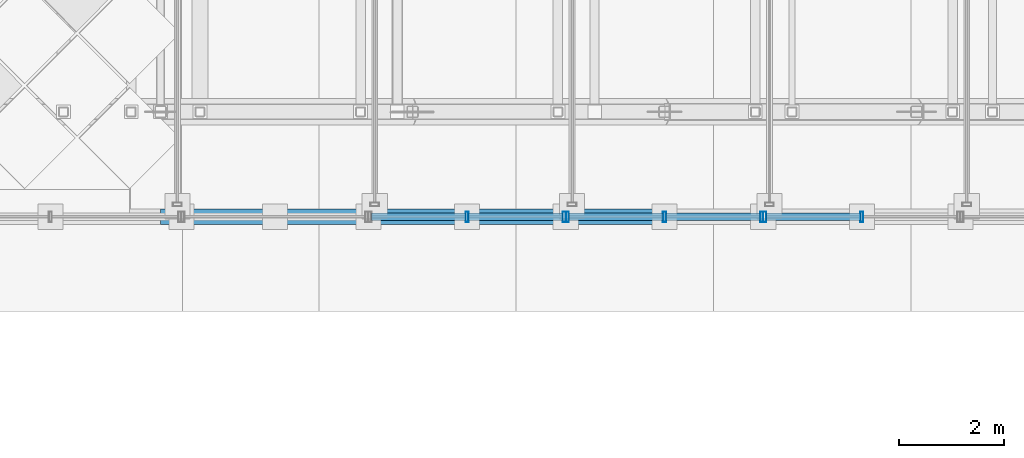
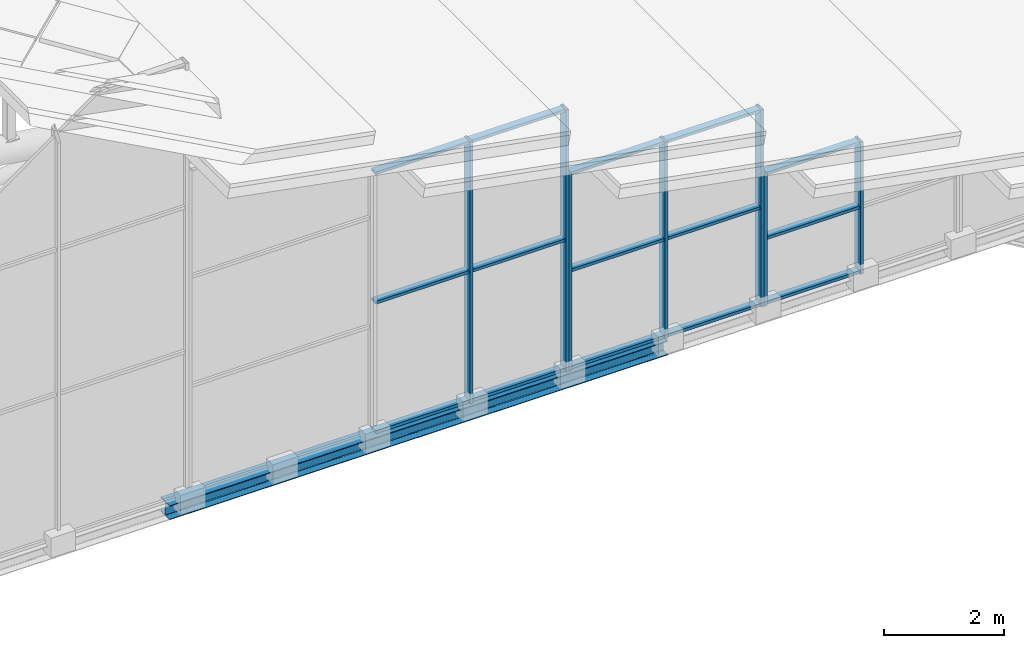
# One storey, part 8 of 117: 22 members, 1 beam, 3 elements without a shape of their own.
"""IFC4 building model written with IfcOpenShell, lengths in metres."""

from ifc_helpers import new_model, si_unit, direction, frame, origin, origin_2d, place, context, subcontext, project, spatial, hollow_rectangle, i_section, extrude, material, material_profile, profile_set, type_object, element, aggregate, save


model = new_model("IFC4")

# Units and contexts
model_context = context("Model", 3, precision=1e-05, world=origin(), true_north=direction((0.0, 1.0)))
body_context = subcontext(model_context, "Body", "Model", "MODEL_VIEW")
ifc_project = project(units=[si_unit("LENGTHUNIT", "METRE"), si_unit("AREAUNIT", "SQUARE_METRE"), si_unit("VOLUMEUNIT", "CUBIC_METRE"), si_unit("PLANEANGLEUNIT", "RADIAN"), si_unit("MASSUNIT", "GRAM", prefix="KILO")], contexts=[model_context])

# Site, building, storey
site_placement = place(None, origin())
site = spatial("IfcSite", under=ifc_project, at=site_placement, CompositionType="ELEMENT")
building_placement = place(site_placement, origin())
building = spatial("IfcBuilding", under=site, at=building_placement, Name="Merenkruunu Market Hall", CompositionType="ELEMENT")
storey_placement = place(building_placement, frame((0.0, 0.0, 22.800048828125)))
storey = spatial("IfcBuildingStorey", under=building, at=storey_placement, Name="RF", CompositionType="ELEMENT", Elevation=22.800048828125)

# Curtain wall, members
ifc_material_1 = material(Name="Powder-coated aluminium", Category="aluminium")
curtain_wall_type = type_object("IfcCurtainWallType", Name="Glazed Curtain Wall CW17", PredefinedType="USERDEFINED", material=ifc_material_1)
curtain_wall_1_placement = place(storey_placement, origin())
curtain_wall_1 = element("IfcCurtainWall", 1, at=curtain_wall_1_placement, inside=storey, type_object=curtain_wall_type, Name="CW-RF-CWM03-047", ObjectType="GLAZED_FACADE", PredefinedType="USERDEFINED")
ifc_material_profile_1 = material_profile(ifc_material_1, hollow_rectangle(XDim=0.06005859375, YDim=0.199951171875, WallThickness=0.0048828125, at=origin_2d()), Name="ALU 60x200x5")
ifc_profile_set_1 = profile_set([ifc_material_profile_1], Name="Powder-coated aluminium")
member_type_1 = type_object("IfcMemberType", Name="Curtain Wall Mullion CWM03", PredefinedType="MULLION", material=ifc_profile_set_1)
member_1_placement = place(storey_placement, frame((46.090087890625, 15.60009765625, -8.68994140625), z_axis=(0.0, 0.0, 1.0), x_axis=(-1.0, 0.0, 0.0)))
member_1 = element("IfcMember", 2, at=member_1_placement, type_object=member_type_1, Name="CW17 mullion 1", PredefinedType="MULLION", context=body_context, shape_type="SweptSolid", body=[
    extrude(hollow_rectangle(XDim=0.06005859375, YDim=0.199951171875, WallThickness=0.0048828125, at=origin_2d()), origin(), (0.0, 0.0, 1.0), 5.329833984375),
])
member_2_placement = place(storey_placement, frame((44.239990234375, 15.60009765625, -8.68994140625), z_axis=(0.0, 0.0, 1.0), x_axis=(-1.0, 0.0, 0.0)))
member_2 = element("IfcMember", 3, at=member_2_placement, type_object=member_type_1, Name="CW17 mullion 2", PredefinedType="MULLION", context=body_context, shape_type="SweptSolid", body=[
    extrude(hollow_rectangle(XDim=0.06005859375, YDim=0.199951171875, WallThickness=0.0048828125, at=origin_2d()), origin(), (0.0, 0.0, 1.0), 5.329833984375),
])

curtain_wall_2_placement = place(storey_placement, origin())
curtain_wall_2 = element("IfcCurtainWall", 4, at=curtain_wall_2_placement, inside=storey, type_object=curtain_wall_type, Name="CW-RF-CWM03-048", ObjectType="GLAZED_FACADE", PredefinedType="USERDEFINED")
member_3_placement = place(storey_placement, frame((49.85009765625, 15.60009765625, -8.68994140625), z_axis=(0.0, 0.0, 1.0), x_axis=(-1.0, 0.0, 0.0)))
member_3 = element("IfcMember", 5, at=member_3_placement, type_object=member_type_1, Name="CW17 mullion 1", PredefinedType="MULLION", context=body_context, shape_type="SweptSolid", body=[
    extrude(hollow_rectangle(XDim=0.06005859375, YDim=0.199951171875, WallThickness=0.0048828125, at=origin_2d()), origin(), (0.0, 0.0, 1.0), 4.010009765625),
])
member_4_placement = place(storey_placement, frame((48.0, 15.60009765625, -8.68994140625), z_axis=(0.0, 0.0, 1.0), x_axis=(-1.0, 0.0, 0.0)))
member_4 = element("IfcMember", 6, at=member_4_placement, type_object=member_type_1, Name="CW17 mullion 2", PredefinedType="MULLION", context=body_context, shape_type="SweptSolid", body=[
    extrude(hollow_rectangle(XDim=0.06005859375, YDim=0.199951171875, WallThickness=0.0048828125, at=origin_2d()), origin(), (0.0, 0.0, 1.0), 4.010009765625),
])
member_5_placement = place(storey_placement, frame((46.14990234375, 15.60009765625, -8.68994140625), z_axis=(0.0, 0.0, 1.0), x_axis=(-1.0, 0.0, 0.0)))
member_5 = element("IfcMember", 7, at=member_5_placement, type_object=member_type_1, Name="CW17 mullion 3", PredefinedType="MULLION", context=body_context, shape_type="SweptSolid", body=[
    extrude(hollow_rectangle(XDim=0.06005859375, YDim=0.199951171875, WallThickness=0.0048828125, at=origin_2d()), origin(), (0.0, 0.0, 1.0), 4.010009765625),
])

curtain_wall_3_placement = place(storey_placement, origin())
curtain_wall_3 = element("IfcCurtainWall", 8, at=curtain_wall_3_placement, inside=storey, type_object=curtain_wall_type, Name="CW-RF-CWM03-049", ObjectType="GLAZED_FACADE", PredefinedType="USERDEFINED")
member_6_placement = place(storey_placement, frame((51.760009765625, 15.60009765625, -8.68994140625), z_axis=(0.0, 0.0, 1.0), x_axis=(-1.0, 0.0, 0.0)))
member_6 = element("IfcMember", 9, at=member_6_placement, type_object=member_type_1, Name="CW17 mullion 2", PredefinedType="MULLION", context=body_context, shape_type="SweptSolid", body=[
    extrude(hollow_rectangle(XDim=0.06005859375, YDim=0.199951171875, WallThickness=0.0048828125, at=origin_2d()), origin(), (0.0, 0.0, 1.0), 2.68994140625),
])
member_7_placement = place(storey_placement, frame((49.909912109375, 15.60009765625, -8.68994140625), z_axis=(0.0, 0.0, 1.0), x_axis=(-1.0, 0.0, 0.0)))
member_7 = element("IfcMember", 10, at=member_7_placement, type_object=member_type_1, Name="CW17 mullion 3", PredefinedType="MULLION", context=body_context, shape_type="SweptSolid", body=[
    extrude(hollow_rectangle(XDim=0.06005859375, YDim=0.199951171875, WallThickness=0.0048828125, at=origin_2d()), origin(), (0.0, 0.0, 1.0), 2.68994140625),
])

# Member
ifc_material_profile_2 = material_profile(ifc_material_1, hollow_rectangle(XDim=0.06005859375, YDim=0.139892578125, WallThickness=0.00390625, at=origin_2d()), Name="ALU 60x140x4")
ifc_profile_set_2 = profile_set([ifc_material_profile_2], Name="Powder-coated aluminium")
member_type_2 = type_object("IfcMemberType", Name="Curtain Wall Transom CWT02", PredefinedType="USERDEFINED", material=ifc_profile_set_2)
member_8_placement = place(storey_placement, frame((46.06005859375, 15.60009765625, -8.66015625), z_axis=(-1.0, 0.0, 0.0), x_axis=(0.0, 0.0, 1.0)))
member_8 = element("IfcMember", 11, at=member_8_placement, type_object=member_type_2, Name="CW17 transom 1.1", ObjectType="TRANSOM", PredefinedType="USERDEFINED", context=body_context, shape_type="SweptSolid", body=[
    extrude(hollow_rectangle(XDim=0.06005859375, YDim=0.139892578125, WallThickness=0.00390625, at=origin_2d()), origin(), (0.0, 0.0, 1.0), 1.7900390625),
])

member_9_placement = place(storey_placement, frame((46.06005859375, 15.60009765625, -6.025146484375), z_axis=(-1.0, 0.0, 0.0), x_axis=(0.0, 0.0, 1.0)))
member_9 = element("IfcMember", 12, at=member_9_placement, type_object=member_type_2, Name="CW17 transom 1.2", ObjectType="TRANSOM", PredefinedType="USERDEFINED", context=body_context, shape_type="SweptSolid", body=[
    extrude(hollow_rectangle(XDim=0.06005859375, YDim=0.139892578125, WallThickness=0.00390625, at=origin_2d()), origin(), (0.0, 0.0, 1.0), 1.7900390625),
])

member_10_placement = place(storey_placement, frame((46.06005859375, 15.60009765625, -3.39013671875), z_axis=(-1.0, 0.0, 0.0), x_axis=(0.0, 0.0, 1.0)))
member_10 = element("IfcMember", 13, at=member_10_placement, type_object=member_type_2, Name="CW17 transom 1.3", ObjectType="TRANSOM", PredefinedType="USERDEFINED", context=body_context, shape_type="SweptSolid", body=[
    extrude(hollow_rectangle(XDim=0.06005859375, YDim=0.139892578125, WallThickness=0.00390625, at=origin_2d()), origin(), (0.0, 0.0, 1.0), 1.7900390625),
])

member_11_placement = place(storey_placement, frame((44.2099609375, 15.60009765625, -8.66015625), z_axis=(-1.0, 0.0, 0.0), x_axis=(0.0, 0.0, 1.0)))
member_11 = element("IfcMember", 14, at=member_11_placement, type_object=member_type_2, Name="CW17 transom 2.1", ObjectType="TRANSOM", PredefinedType="USERDEFINED", context=body_context, shape_type="SweptSolid", body=[
    extrude(hollow_rectangle(XDim=0.06005859375, YDim=0.139892578125, WallThickness=0.00390625, at=origin_2d()), origin(), (0.0, 0.0, 1.0), 1.7900390625),
])

member_12_placement = place(storey_placement, frame((44.2099609375, 15.60009765625, -6.025146484375), z_axis=(-1.0, 0.0, 0.0), x_axis=(0.0, 0.0, 1.0)))
member_12 = element("IfcMember", 15, at=member_12_placement, type_object=member_type_2, Name="CW17 transom 2.2", ObjectType="TRANSOM", PredefinedType="USERDEFINED", context=body_context, shape_type="SweptSolid", body=[
    extrude(hollow_rectangle(XDim=0.06005859375, YDim=0.139892578125, WallThickness=0.00390625, at=origin_2d()), origin(), (0.0, 0.0, 1.0), 1.7900390625),
])

member_13_placement = place(storey_placement, frame((44.2099609375, 15.60009765625, -3.39013671875), z_axis=(-1.0, 0.0, 0.0), x_axis=(0.0, 0.0, 1.0)))
member_13 = element("IfcMember", 16, at=member_13_placement, type_object=member_type_2, Name="CW17 transom 2.3", ObjectType="TRANSOM", PredefinedType="USERDEFINED", context=body_context, shape_type="SweptSolid", body=[
    extrude(hollow_rectangle(XDim=0.06005859375, YDim=0.139892578125, WallThickness=0.00390625, at=origin_2d()), origin(), (0.0, 0.0, 1.0), 1.7900390625),
])

aggregate(curtain_wall_1, [member_1, member_2, member_8, member_9, member_10, member_11, member_12, member_13])

member_14_placement = place(storey_placement, frame((49.820068359375, 15.60009765625, -8.66015625), z_axis=(-1.0, 0.0, 0.0), x_axis=(0.0, 0.0, 1.0)))
member_14 = element("IfcMember", 17, at=member_14_placement, type_object=member_type_2, Name="CW17 transom 1.1", ObjectType="TRANSOM", PredefinedType="USERDEFINED", context=body_context, shape_type="SweptSolid", body=[
    extrude(hollow_rectangle(XDim=0.06005859375, YDim=0.139892578125, WallThickness=0.00390625, at=origin_2d()), origin(), (0.0, 0.0, 1.0), 1.7900390625),
])

member_15_placement = place(storey_placement, frame((49.820068359375, 15.60009765625, -6.68505859375), z_axis=(-1.0, 0.0, 0.0), x_axis=(0.0, 0.0, 1.0)))
member_15 = element("IfcMember", 18, at=member_15_placement, type_object=member_type_2, Name="CW17 transom 1.2", ObjectType="TRANSOM", PredefinedType="USERDEFINED", context=body_context, shape_type="SweptSolid", body=[
    extrude(hollow_rectangle(XDim=0.06005859375, YDim=0.139892578125, WallThickness=0.00390625, at=origin_2d()), origin(), (0.0, 0.0, 1.0), 1.7900390625),
])

member_16_placement = place(storey_placement, frame((49.820068359375, 15.60009765625, -4.7099609375), z_axis=(-1.0, 0.0, 0.0), x_axis=(0.0, 0.0, 1.0)))
member_16 = element("IfcMember", 19, at=member_16_placement, type_object=member_type_2, Name="CW17 transom 1.3", ObjectType="TRANSOM", PredefinedType="USERDEFINED", context=body_context, shape_type="SweptSolid", body=[
    extrude(hollow_rectangle(XDim=0.06005859375, YDim=0.139892578125, WallThickness=0.00390625, at=origin_2d()), origin(), (0.0, 0.0, 1.0), 1.7900390625),
])

member_17_placement = place(storey_placement, frame((47.969970703125, 15.60009765625, -8.66015625), z_axis=(-1.0, 0.0, 0.0), x_axis=(0.0, 0.0, 1.0)))
member_17 = element("IfcMember", 20, at=member_17_placement, type_object=member_type_2, Name="CW17 transom 2.1", ObjectType="TRANSOM", PredefinedType="USERDEFINED", context=body_context, shape_type="SweptSolid", body=[
    extrude(hollow_rectangle(XDim=0.06005859375, YDim=0.139892578125, WallThickness=0.00390625, at=origin_2d()), origin(), (0.0, 0.0, 1.0), 1.7900390625),
])

member_18_placement = place(storey_placement, frame((47.969970703125, 15.60009765625, -6.68505859375), z_axis=(-1.0, 0.0, 0.0), x_axis=(0.0, 0.0, 1.0)))
member_18 = element("IfcMember", 21, at=member_18_placement, type_object=member_type_2, Name="CW17 transom 2.2", ObjectType="TRANSOM", PredefinedType="USERDEFINED", context=body_context, shape_type="SweptSolid", body=[
    extrude(hollow_rectangle(XDim=0.06005859375, YDim=0.139892578125, WallThickness=0.00390625, at=origin_2d()), origin(), (0.0, 0.0, 1.0), 1.7900390625),
])

member_19_placement = place(storey_placement, frame((47.969970703125, 15.60009765625, -4.7099609375), z_axis=(-1.0, 0.0, 0.0), x_axis=(0.0, 0.0, 1.0)))
member_19 = element("IfcMember", 22, at=member_19_placement, type_object=member_type_2, Name="CW17 transom 2.3", ObjectType="TRANSOM", PredefinedType="USERDEFINED", context=body_context, shape_type="SweptSolid", body=[
    extrude(hollow_rectangle(XDim=0.06005859375, YDim=0.139892578125, WallThickness=0.00390625, at=origin_2d()), origin(), (0.0, 0.0, 1.0), 1.7900390625),
])

aggregate(curtain_wall_2, [member_3, member_4, member_5, member_14, member_15, member_16, member_17, member_18, member_19])

member_20_placement = place(storey_placement, frame((51.72998046875, 15.60009765625, -8.66015625), z_axis=(-1.0, 0.0, 0.0), x_axis=(0.0, 0.0, 1.0)))
member_20 = element("IfcMember", 23, at=member_20_placement, type_object=member_type_2, Name="CW17 transom 2.1", ObjectType="TRANSOM", PredefinedType="USERDEFINED", context=body_context, shape_type="SweptSolid", body=[
    extrude(hollow_rectangle(XDim=0.06005859375, YDim=0.139892578125, WallThickness=0.00390625, at=origin_2d()), origin(), (0.0, 0.0, 1.0), 1.7900390625),
])

member_21_placement = place(storey_placement, frame((51.72998046875, 15.60009765625, -7.344970703125), z_axis=(-1.0, 0.0, 0.0), x_axis=(0.0, 0.0, 1.0)))
member_21 = element("IfcMember", 24, at=member_21_placement, type_object=member_type_2, Name="CW17 transom 2.2", ObjectType="TRANSOM", PredefinedType="USERDEFINED", context=body_context, shape_type="SweptSolid", body=[
    extrude(hollow_rectangle(XDim=0.06005859375, YDim=0.139892578125, WallThickness=0.00390625, at=origin_2d()), origin(), (0.0, 0.0, 1.0), 1.7900390625),
])

member_22_placement = place(storey_placement, frame((51.72998046875, 15.60009765625, -6.030029296875), z_axis=(-1.0, 0.0, 0.0), x_axis=(0.0, 0.0, 1.0)))
member_22 = element("IfcMember", 25, at=member_22_placement, type_object=member_type_2, Name="CW17 transom 2.3", ObjectType="TRANSOM", PredefinedType="USERDEFINED", context=body_context, shape_type="SweptSolid", body=[
    extrude(hollow_rectangle(XDim=0.06005859375, YDim=0.139892578125, WallThickness=0.00390625, at=origin_2d()), origin(), (0.0, 0.0, 1.0), 1.7900390625),
])

aggregate(curtain_wall_3, [member_6, member_7, member_20, member_21, member_22])

# Beam
ifc_material_2 = material(Name="Steel S355J2", Category="steel")
ifc_material_profile_3 = material_profile(ifc_material_2, i_section(OverallWidth=0.300048828125, OverallDepth=0.2900390625, WebThickness=0.008544921875, FlangeThickness=0.013916015625, FilletRadius=0.027099609375, at=origin_2d()), Name="HEA 300")
ifc_profile_set_3 = profile_set([ifc_material_profile_3], Name="Steel S355J2")
beam_type = type_object("IfcBeamType", Name="Primary Floor Girder B09", PredefinedType="BEAM", material=ifc_profile_set_3)
beam_placement = place(storey_placement, frame((38.39990234375, 15.60009765625, -8.844970703125), z_axis=(1.0, 0.0, 0.0), x_axis=(0.0, 1.0, 0.0)))
element("IfcBeam", 26, at=beam_placement, inside=storey, type_object=beam_type, Name="BM-RF-B09-1256", PredefinedType="BEAM", context=body_context, shape_type="SweptSolid", body=[
    extrude(i_section(OverallWidth=0.300048828125, OverallDepth=0.2900390625, WebThickness=0.008544921875, FlangeThickness=0.013916015625, FilletRadius=0.027099609375, at=origin_2d()), origin(), (0.0, 0.0, 1.0), 9.60009765625),
])

save(model, "model.ifc")
